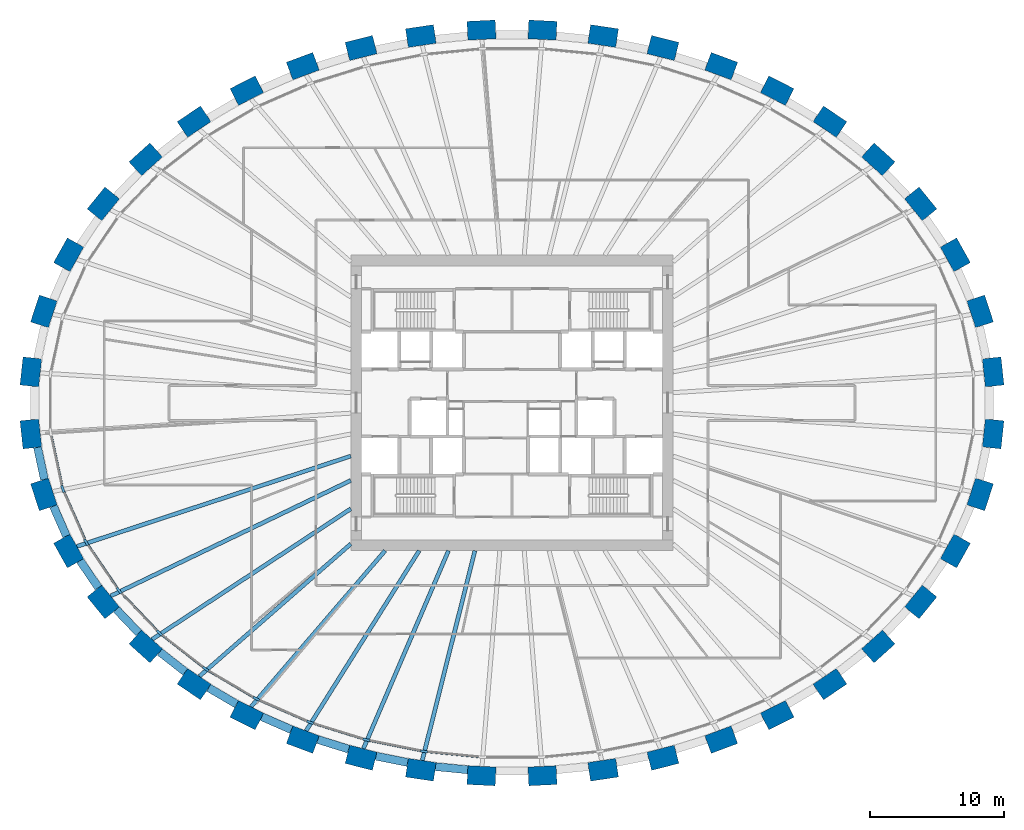
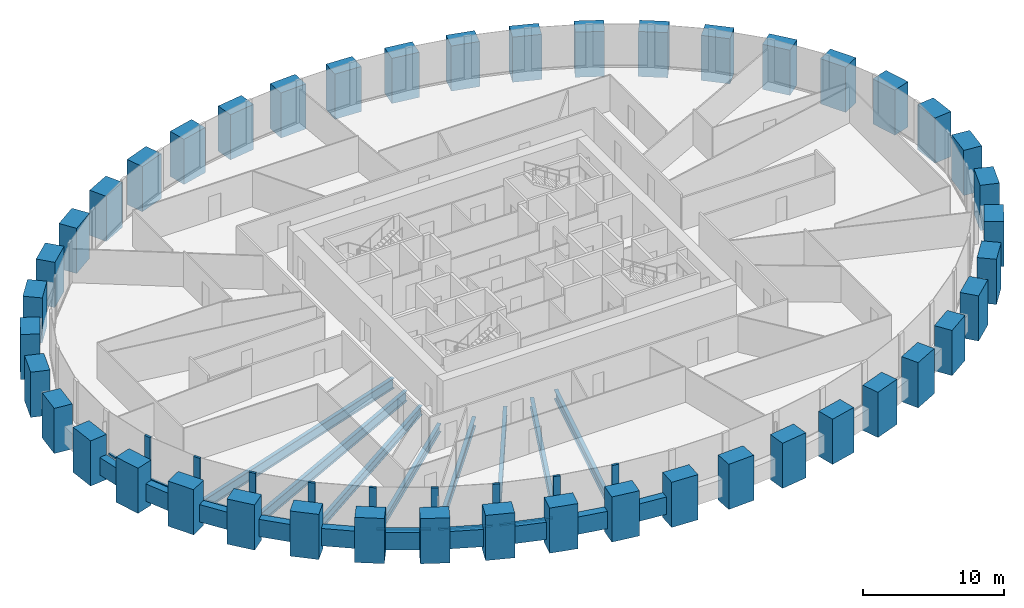
# One storey, part 1 of 11: 44 columns, 19 members, 18 beams, 1 element without a shape of its own.
"""IFC4 building model written with IfcOpenShell, lengths in metres."""

from ifc_helpers import new_model, si_unit, direction, frame, origin, origin_2d, place, context, subcontext, project, spatial, rectangle, i_section, extrude, source, transform, mapped, material, material_profile, profile_set, type_object, element, aggregate, save


model = new_model("IFC4")

# Units and contexts
model_context = context("Model", 3, precision=1e-05, world=origin(), true_north=direction((0.0, 1.0)))
body_context = subcontext(model_context, "Body", "Model", "MODEL_VIEW")
ifc_project = project(units=[si_unit("LENGTHUNIT", "METRE"), si_unit("AREAUNIT", "SQUARE_METRE"), si_unit("VOLUMEUNIT", "CUBIC_METRE"), si_unit("PLANEANGLEUNIT", "RADIAN"), si_unit("MASSUNIT", "GRAM", prefix="KILO")], contexts=[model_context])

# Site, building, storey
site_placement = place(None, origin())
site = spatial("IfcSite", under=ifc_project, at=site_placement, CompositionType="ELEMENT")
building_placement = place(site_placement, origin())
building = spatial("IfcBuilding", under=site, at=building_placement, Name="Embergate Tower", CompositionType="ELEMENT")
storey_placement = place(building_placement, frame((0.0, 0.0, 207.300048828125)))
storey = spatial("IfcBuildingStorey", under=building, at=storey_placement, Name="L47", CompositionType="ELEMENT", Elevation=207.300048828125)

# Columns
ifc_material_1 = material(Name="Concrete C60", Category="concrete")
ifc_material_profile_1 = material_profile(ifc_material_1, rectangle(XDim=1.39990234375, YDim=2.10009765625, at=origin_2d()), Name="RC 1400x2100")
ifc_profile_set_1 = profile_set([ifc_material_profile_1], Name="Concrete C60")
column_type = type_object("IfcColumnType", Name="Ring column RC 1400x2100 C60", PredefinedType="COLUMN", material=ifc_profile_set_1)
shared_shape_1 = source(origin(), body_context, "Body", "SweptSolid", [
    extrude(rectangle(XDim=1.39990234375, YDim=2.10009765625, at=origin_2d()), origin(), (0.0, 0.0, 1.0), 3.900146484375),
])
for number, where, z_axis, x_axis, name in (
    (1, (35.818115234375, 2.305908203125, -1.400146484375), (0.0, 0.0, 1.0), (0.994287757967, 0.106732630237, 0.0), "COL-L47-00"),
    (2, (34.84912109375, 6.81103515625, -1.400146484375), (0.0, 0.0, 1.0), (0.950754033697, 0.309946394413, 0.0), "COL-L47-01"),
    (3, (33.001953125, 11.02294921875, -1.400146484375), (0.0, 0.0, 1.0), (0.873500465855, 0.486823311018, 0.0), "COL-L47-02"),
    (4, (30.423095703125, 14.81591796875, -1.400146484375), (0.0, 0.0, 1.0), (0.775925311702, 0.630824786022, 0.0), "COL-L47-03"),
    (5, (27.26611328125, 18.126953125, -1.400146484375), (0.0, 0.0, 1.0), (0.669221393633, 0.743063070206, 0.0), "COL-L47-04"),
    (6, (23.66796875, 20.93603515625, -1.400146484375), (0.0, 0.0, 1.0), (0.560407734638, 0.828216862275, 0.0), "COL-L47-05"),
    (7, (19.741943359375, 23.243896484375, -1.400146484375), (0.0, 0.0, 1.0), (0.453010512651, 0.891505174089, 0.0), "COL-L47-06"),
    (8, (15.573974609375, 25.06689453125, -1.400146484375), (0.0, 0.0, 1.0), (0.348359375814, 0.937361053854, 0.0), "COL-L47-07"),
    (9, (11.236083984375, 26.41796875, -1.400146484375), (0.0, 0.0, 1.0), (0.24650851817, 0.969140624713, 0.0), "COL-L47-08"),
    (10, (6.784912109375, 27.31103515625, -1.400146484375), (0.0, 0.0, 1.0), (0.146929011949, 0.989147039346, 0.0), "COL-L47-09"),
    (11, (2.26904296875, 27.7548828125, -1.400146484375), (0.0, 0.0, 1.0), (0.048814904854, 0.998807841912, 0.0), "COL-L47-10"),
    (12, (-2.26904296875, 27.7548828125, -1.400146484375), (0.0, 0.0, 1.0), (-0.048814904854, 0.998807841912, 0.0), "COL-L47-11"),
    (13, (-6.784912109375, 27.31103515625, -1.400146484375), (0.0, 0.0, 1.0), (-0.146929011949, 0.989147039346, 0.0), "COL-L47-12"),
    (14, (-11.236083984375, 26.41796875, -1.400146484375), (0.0, 0.0, 1.0), (-0.24650851817, 0.969140624713, 0.0), "COL-L47-13"),
    (15, (-15.573974609375, 25.06689453125, -1.400146484375), (0.0, 0.0, 1.0), (-0.348359375814, 0.937361053854, 0.0), "COL-L47-14"),
    (16, (-19.741943359375, 23.243896484375, -1.400146484375), (0.0, 0.0, 1.0), (-0.453010512651, 0.891505174089, 0.0), "COL-L47-15"),
    (17, (-23.66796875, 20.93603515625, -1.400146484375), (0.0, 0.0, 1.0), (-0.560407734638, 0.828216862275, 0.0), "COL-L47-16"),
    (18, (-27.26611328125, 18.126953125, -1.400146484375), (0.0, 0.0, 1.0), (-0.669221393633, 0.743063070206, 0.0), "COL-L47-17"),
    (19, (-30.423095703125, 14.81591796875, -1.400146484375), (0.0, 0.0, 1.0), (-0.775925311702, 0.630824786022, 0.0), "COL-L47-18"),
    (20, (-33.001953125, 11.02294921875, -1.400146484375), (0.0, 0.0, 1.0), (-0.873500465855, 0.486823311018, 0.0), "COL-L47-19"),
    (21, (-34.84912109375, 6.81103515625, -1.400146484375), (0.0, 0.0, 1.0), (-0.950754033697, 0.309946394413, 0.0), "COL-L47-20"),
    (22, (-35.818115234375, 2.305908203125, -1.400146484375), (0.0, 0.0, 1.0), (-0.994287757967, 0.106732630237, 0.0), "COL-L47-21"),
    (23, (-35.818115234375, -2.305908203125, -1.400146484375), (0.0, 0.0, 1.0), (-0.994287757967, -0.106732630237, 0.0), "COL-L47-22"),
    (24, (-34.84912109375, -6.81103515625, -1.400146484375), (0.0, 0.0, 1.0), (-0.950754033697, -0.309946394413, 0.0), "COL-L47-23"),
    (25, (-33.001953125, -11.02294921875, -1.400146484375), (0.0, 0.0, 1.0), (-0.873500465855, -0.486823311018, 0.0), "COL-L47-24"),
    (26, (-30.423095703125, -14.81591796875, -1.400146484375), (0.0, 0.0, 1.0), (-0.775925311702, -0.630824786022, 0.0), "COL-L47-25"),
    (27, (-27.26611328125, -18.126953125, -1.400146484375), (0.0, 0.0, 1.0), (-0.669221393633, -0.743063070206, 0.0), "COL-L47-26"),
    (28, (-23.66796875, -20.93603515625, -1.400146484375), (0.0, 0.0, 1.0), (-0.560407734638, -0.828216862275, 0.0), "COL-L47-27"),
    (29, (-19.741943359375, -23.243896484375, -1.400146484375), (0.0, 0.0, 1.0), (-0.453010512651, -0.891505174089, 0.0), "COL-L47-28"),
    (30, (-15.573974609375, -25.06689453125, -1.400146484375), (0.0, 0.0, 1.0), (-0.348359375814, -0.937361053854, 0.0), "COL-L47-29"),
    (31, (-11.236083984375, -26.41796875, -1.400146484375), (0.0, 0.0, 1.0), (-0.24650851817, -0.969140624713, 0.0), "COL-L47-30"),
    (32, (-6.784912109375, -27.31103515625, -1.400146484375), (0.0, 0.0, 1.0), (-0.146929011949, -0.989147039346, 0.0), "COL-L47-31"),
    (33, (-2.26904296875, -27.7548828125, -1.400146484375), (0.0, 0.0, 1.0), (-0.048814904854, -0.998807841912, 0.0), "COL-L47-32"),
    (34, (2.26904296875, -27.7548828125, -1.400146484375), (0.0, 0.0, 1.0), (0.048814904854, -0.998807841912, 0.0), "COL-L47-33"),
    (35, (6.784912109375, -27.31103515625, -1.400146484375), (0.0, 0.0, 1.0), (0.146929011949, -0.989147039346, 0.0), "COL-L47-34"),
    (36, (11.236083984375, -26.41796875, -1.400146484375), (0.0, 0.0, 1.0), (0.24650851817, -0.969140624713, 0.0), "COL-L47-35"),
    (37, (15.573974609375, -25.06689453125, -1.400146484375), (0.0, 0.0, 1.0), (0.348359375814, -0.937361053854, 0.0), "COL-L47-36"),
    (38, (19.741943359375, -23.243896484375, -1.400146484375), (0.0, 0.0, 1.0), (0.453010512651, -0.891505174089, 0.0), "COL-L47-37"),
    (39, (23.66796875, -20.93603515625, -1.400146484375), (0.0, 0.0, 1.0), (0.560407734638, -0.828216862275, 0.0), "COL-L47-38"),
    (40, (27.26611328125, -18.126953125, -1.400146484375), (0.0, 0.0, 1.0), (0.669221393633, -0.743063070206, 0.0), "COL-L47-39"),
    (41, (30.423095703125, -14.81591796875, -1.400146484375), (0.0, 0.0, 1.0), (0.775925311702, -0.630824786022, 0.0), "COL-L47-40"),
    (42, (33.001953125, -11.02294921875, -1.400146484375), (0.0, 0.0, 1.0), (0.873500465855, -0.486823311018, 0.0), "COL-L47-41"),
    (43, (34.84912109375, -6.81103515625, -1.400146484375), (0.0, 0.0, 1.0), (0.950754033697, -0.309946394413, 0.0), "COL-L47-42"),
    (44, (35.818115234375, -2.305908203125, -1.400146484375), (0.0, 0.0, 1.0), (0.994287757967, -0.106732630237, 0.0), "COL-L47-43"),
):
    element("IfcColumn", number, at=place(storey_placement, frame(where, z_axis=z_axis, x_axis=x_axis)), inside=storey, type_object=column_type, Name=name, PredefinedType="COLUMN", context=body_context, shape_type="MappedRepresentation", body=[
        mapped(shared_shape_1, transform((0.0, 0.0, 0.0))),
    ])

# Beams
ifc_material_profile_2 = material_profile(ifc_material_1, rectangle(XDim=0.60009765625, YDim=1.5, at=origin_2d()), Name="RC 600x1500")
ifc_profile_set_2 = profile_set([ifc_material_profile_2], Name="Concrete C60")
beam_type_1 = type_object("IfcBeamType", Name="Spandrel beam RC 600x1500 C60", PredefinedType="BEAM", material=ifc_profile_set_2)
shared_shape_2 = source(origin(), body_context, "Body", "SweptSolid", [
    extrude(rectangle(XDim=0.60009765625, YDim=1.5, at=origin_2d()), origin(), (0.0, 0.0, 1.0), 2.438720703125),
])
beam_1_placement = place(storey_placement, frame((-35.320068359375, -3.30908203125, 0.0), z_axis=(0.210438320614, -0.977607136439, 0.0), x_axis=(0.977607136439, 0.210438320614, 0.0)))
element("IfcBeam", 45, at=beam_1_placement, inside=storey, type_object=beam_type_1, Name="SPN-L47-22", PredefinedType="BEAM", context=body_context, shape_type="MappedRepresentation", body=[
    mapped(shared_shape_2, transform((0.0, 0.0, 0.0))),
])
shared_shape_3 = source(origin(), body_context, "Body", "SweptSolid", [
    extrude(rectangle(XDim=0.60009765625, YDim=1.5, at=origin_2d()), origin(), (0.0, 0.0, 1.0), 2.431884765625),
])
beam_2_placement = place(storey_placement, frame((-34.14208984375, -7.68505859375, 0.0), z_axis=(0.401756025311, -0.915746742351, 0.0), x_axis=(0.915746742351, 0.401756025311, 0.0)))
element("IfcBeam", 46, at=beam_2_placement, inside=storey, type_object=beam_type_1, Name="SPN-L47-23", PredefinedType="BEAM", context=body_context, shape_type="MappedRepresentation", body=[
    mapped(shared_shape_3, transform((0.0, 0.0, 0.0))),
])
shared_shape_4 = source(origin(), body_context, "Body", "SweptSolid", [
    extrude(rectangle(XDim=0.60009765625, YDim=1.5, at=origin_2d()), origin(), (0.0, 0.0, 1.0), 2.42724609375),
])
beam_3_placement = place(storey_placement, frame((-32.14892578125, -11.7490234375, 0.0), z_axis=(0.562359541569, -0.826892826191, 0.0), x_axis=(0.826892826191, 0.562359541569, 0.0)))
element("IfcBeam", 47, at=beam_3_placement, inside=storey, type_object=beam_type_1, Name="SPN-L47-24", PredefinedType="BEAM", context=body_context, shape_type="MappedRepresentation", body=[
    mapped(shared_shape_4, transform((0.0, 0.0, 0.0))),
])
shared_shape_5 = source(origin(), body_context, "Body", "SweptSolid", [
    extrude(rectangle(XDim=0.60009765625, YDim=1.5, at=origin_2d()), origin(), (0.0, 0.0, 1.0), 2.419677734375),
])
beam_4_placement = place(storey_placement, frame((-29.448974609375, -15.376953125, 0.0), z_axis=(0.69015890768, -0.723657848813, 0.0), x_axis=(0.723657848813, 0.69015890768, 0.0)))
element("IfcBeam", 48, at=beam_4_placement, inside=storey, type_object=beam_type_1, Name="SPN-L47-25", PredefinedType="BEAM", context=body_context, shape_type="MappedRepresentation", body=[
    mapped(shared_shape_5, transform((0.0, 0.0, 0.0))),
])
shared_shape_6 = source(origin(), body_context, "Body", "SweptSolid", [
    extrude(rectangle(XDim=0.60009765625, YDim=1.5, at=origin_2d()), origin(), (0.0, 0.0, 1.0), 2.4150390625),
])
beam_5_placement = place(storey_placement, frame((-26.222900390625, -18.5380859375, 0.0), z_axis=(0.788327742651, -0.615255532415, 0.0), x_axis=(0.615255532415, 0.788327742651, 0.0)))
element("IfcBeam", 49, at=beam_5_placement, inside=storey, type_object=beam_type_1, Name="SPN-L47-26", PredefinedType="BEAM", context=body_context, shape_type="MappedRepresentation", body=[
    mapped(shared_shape_6, transform((0.0, 0.0, 0.0))),
])
shared_shape_7 = source(origin(), body_context, "Body", "SweptSolid", [
    extrude(rectangle(XDim=0.60009765625, YDim=1.5, at=origin_2d()), origin(), (0.0, 0.0, 1.0), 2.41015625),
])
beam_6_placement = place(storey_placement, frame((-22.58203125, -21.205078125, 0.0), z_axis=(0.862202298523, -0.506564108895, 0.0), x_axis=(0.506564108895, 0.862202298523, 0.0)))
element("IfcBeam", 50, at=beam_6_placement, inside=storey, type_object=beam_type_1, Name="SPN-L47-27", PredefinedType="BEAM", context=body_context, shape_type="MappedRepresentation", body=[
    mapped(shared_shape_7, transform((0.0, 0.0, 0.0))),
])
shared_shape_8 = source(origin(), body_context, "Body", "SweptSolid", [
    extrude(rectangle(XDim=0.60009765625, YDim=1.5, at=origin_2d()), origin(), (0.0, 0.0, 1.0), 2.407470703125),
])
beam_7_placement = place(storey_placement, frame((-18.625, -23.363037109375, 0.0), z_axis=(0.916352733651, -0.400371911515, 0.0), x_axis=(0.400371911515, 0.916352733651, 0.0)))
element("IfcBeam", 51, at=beam_7_placement, inside=storey, type_object=beam_type_1, Name="SPN-L47-28", PredefinedType="BEAM", context=body_context, shape_type="MappedRepresentation", body=[
    mapped(shared_shape_8, transform((0.0, 0.0, 0.0))),
])
shared_shape_9 = source(origin(), body_context, "Body", "SweptSolid", [
    extrude(rectangle(XDim=0.60009765625, YDim=1.5, at=origin_2d()), origin(), (0.0, 0.0, 1.0), 2.404541015625),
])
beam_8_placement = place(storey_placement, frame((-14.451904296875, -25.06103515625, 0.0), z_axis=(0.954790193156, -0.297280485491, 0.0), x_axis=(0.297280485491, 0.954790193156, 0.0)))
element("IfcBeam", 52, at=beam_8_placement, inside=storey, type_object=beam_type_1, Name="SPN-L47-29", PredefinedType="BEAM", context=body_context, shape_type="MappedRepresentation", body=[
    mapped(shared_shape_9, transform((0.0, 0.0, 0.0))),
])
shared_shape_10 = source(origin(), body_context, "Body", "SweptSolid", [
    extrude(rectangle(XDim=0.60009765625, YDim=1.5, at=origin_2d()), origin(), (0.0, 0.0, 1.0), 2.40185546875),
])
beam_9_placement = place(storey_placement, frame((-10.12109375, -26.2958984375, 0.0), z_axis=(0.980486735487, -0.196585252585, 0.0), x_axis=(0.196585252585, 0.980486735487, 0.0)))
element("IfcBeam", 53, at=beam_9_placement, inside=storey, type_object=beam_type_1, Name="SPN-L47-30", PredefinedType="BEAM", context=body_context, shape_type="MappedRepresentation", body=[
    mapped(shared_shape_10, transform((0.0, 0.0, 0.0))),
])
shared_shape_11 = source(origin(), body_context, "Body", "SweptSolid", [
    extrude(rectangle(XDim=0.60009765625, YDim=1.5, at=origin_2d()), origin(), (0.0, 0.0, 1.0), 2.4013671875),
])
beam_10_placement = place(storey_placement, frame((-5.68896484375, -27.077880859375, 0.0), z_axis=(0.995195949519, -0.097903125895, 0.0), x_axis=(0.097903125895, 0.995195949519, 0.0)))
element("IfcBeam", 54, at=beam_10_placement, inside=storey, type_object=beam_type_1, Name="SPN-L47-31", PredefinedType="BEAM", context=body_context, shape_type="MappedRepresentation", body=[
    mapped(shared_shape_11, transform((0.0, 0.0, 0.0))),
])
ifc_material_2 = material(Name="Steel Q355B", Category="steel")
ifc_material_profile_3 = material_profile(ifc_material_2, i_section(OverallWidth=0.300048828125, OverallDepth=0.89990234375, WebThickness=0.01611328125, FlangeThickness=0.028076171875, FilletRadius=0.028076171875, at=origin_2d()), Name="HN 900x300x16x28")
ifc_profile_set_3 = profile_set([ifc_material_profile_3], Name="Steel Q355 grade B")
beam_type_2 = type_object("IfcBeamType", Name="Radial girder HN 900x300x16x28", PredefinedType="BEAM", material=ifc_profile_set_3)
shared_shape_12 = source(origin(), body_context, "Body", "SweptSolid", [
    extrude(i_section(OverallWidth=0.300048828125, OverallDepth=0.89990234375, WebThickness=0.01611328125, FlangeThickness=0.028076171875, FilletRadius=0.028076171875, at=origin_2d()), origin(), (0.0, 0.0, 1.0), 21.47119140625),
])
beam_11_placement = place(storey_placement, frame((-32.39111328125, -10.681884765625, -0.650146484375), z_axis=(0.949700564112, 0.313159445849, 0.0), x_axis=(-0.313159445849, 0.949700564112, 0.0)))
element("IfcBeam", 55, at=beam_11_placement, inside=storey, type_object=beam_type_2, Name="GIR-L47-24", PredefinedType="BEAM", context=body_context, shape_type="MappedRepresentation", body=[
    mapped(shared_shape_12, transform((0.0, 0.0, 0.0))),
])
shared_shape_13 = source(origin(), body_context, "Body", "SweptSolid", [
    extrude(i_section(OverallWidth=0.300048828125, OverallDepth=0.89990234375, WebThickness=0.01611328125, FlangeThickness=0.028076171875, FilletRadius=0.028076171875, at=origin_2d()), origin(), (0.0, 0.0, 1.0), 19.841064453125),
])
beam_12_placement = place(storey_placement, frame((-29.8798828125, -14.3740234375, -0.650146484375), z_axis=(0.901154450988, 0.433498160854, 0.0), x_axis=(-0.433498160854, 0.901154450988, 0.0)))
element("IfcBeam", 56, at=beam_12_placement, inside=storey, type_object=beam_type_2, Name="GIR-L47-25", PredefinedType="BEAM", context=body_context, shape_type="MappedRepresentation", body=[
    mapped(shared_shape_13, transform((0.0, 0.0, 0.0))),
])
ifc_material_profile_4 = material_profile(ifc_material_2, i_section(OverallWidth=0.300048828125, OverallDepth=0.800048828125, WebThickness=0.013916015625, FlangeThickness=0.02587890625, FilletRadius=0.028076171875, at=origin_2d()), Name="HN 800x300x14x26")
ifc_profile_set_4 = profile_set([ifc_material_profile_4], Name="Steel Q355 grade B")
beam_type_3 = type_object("IfcBeamType", Name="Radial girder HN 800x300x14x26", PredefinedType="BEAM", material=ifc_profile_set_4)
shared_shape_14 = source(origin(), body_context, "Body", "SweptSolid", [
    extrude(i_section(OverallWidth=0.300048828125, OverallDepth=0.800048828125, WebThickness=0.013916015625, FlangeThickness=0.02587890625, FilletRadius=0.028076171875, at=origin_2d()), origin(), (0.0, 0.0, 1.0), 17.70654296875),
])
beam_13_placement = place(storey_placement, frame((-26.798095703125, -17.60693359375, -0.60009765625), z_axis=(0.835745977406, 0.549116254767, 0.0), x_axis=(-0.549116254767, 0.835745977406, 0.0)))
element("IfcBeam", 57, at=beam_13_placement, inside=storey, type_object=beam_type_3, Name="GIR-L47-26", PredefinedType="BEAM", context=body_context, shape_type="MappedRepresentation", body=[
    mapped(shared_shape_14, transform((0.0, 0.0, 0.0))),
])
ifc_material_profile_5 = material_profile(ifc_material_2, i_section(OverallWidth=0.300048828125, OverallDepth=0.699951171875, WebThickness=0.012939453125, FlangeThickness=0.02392578125, FilletRadius=0.01806640625, at=origin_2d()), Name="HN 700x300x13x24")
ifc_profile_set_5 = profile_set([ifc_material_profile_5], Name="Steel Q355 grade B")
beam_type_4 = type_object("IfcBeamType", Name="Radial girder HN 700x300x13x24", PredefinedType="BEAM", material=ifc_profile_set_5)
shared_shape_15 = source(origin(), body_context, "Body", "SweptSolid", [
    extrude(i_section(OverallWidth=0.300048828125, OverallDepth=0.699951171875, WebThickness=0.012939453125, FlangeThickness=0.02392578125, FilletRadius=0.01806640625, at=origin_2d()), origin(), (0.0, 0.0, 1.0), 14.9794921875),
])
beam_14_placement = place(storey_placement, frame((-23.27587890625, -20.35595703125, -0.550048828125), z_axis=(0.752760419663, 0.658294577365, 0.0), x_axis=(-0.658294577365, 0.752760419663, 0.0)))
element("IfcBeam", 58, at=beam_14_placement, inside=storey, type_object=beam_type_4, Name="GIR-L47-27", PredefinedType="BEAM", context=body_context, shape_type="MappedRepresentation", body=[
    mapped(shared_shape_15, transform((0.0, 0.0, 0.0))),
])
shared_shape_16 = source(origin(), body_context, "Body", "SweptSolid", [
    extrude(i_section(OverallWidth=0.300048828125, OverallDepth=0.800048828125, WebThickness=0.013916015625, FlangeThickness=0.02587890625, FilletRadius=0.028076171875, at=origin_2d()), origin(), (0.0, 0.0, 1.0), 15.31689453125),
])
beam_15_placement = place(storey_placement, frame((-19.425048828125, -22.6201171875, -0.60009765625), z_axis=(0.651502542644, 0.758646450548, 0.0), x_axis=(-0.758646450548, 0.651502542644, 0.0)))
element("IfcBeam", 59, at=beam_15_placement, inside=storey, type_object=beam_type_3, Name="GIR-L47-28", PredefinedType="BEAM", context=body_context, shape_type="MappedRepresentation", body=[
    mapped(shared_shape_16, transform((0.0, 0.0, 0.0))),
])
shared_shape_17 = source(origin(), body_context, "Body", "SweptSolid", [
    extrude(i_section(OverallWidth=0.300048828125, OverallDepth=0.800048828125, WebThickness=0.013916015625, FlangeThickness=0.02587890625, FilletRadius=0.028076171875, at=origin_2d()), origin(), (0.0, 0.0, 1.0), 15.836181640625),
])
beam_16_placement = place(storey_placement, frame((-15.330078125, -24.410888671875, -0.60009765625), z_axis=(0.531828302788, 0.846852204552, 0.0), x_axis=(-0.846852204552, 0.531828302788, 0.0)))
element("IfcBeam", 60, at=beam_16_placement, inside=storey, type_object=beam_type_3, Name="GIR-L47-29", PredefinedType="BEAM", context=body_context, shape_type="MappedRepresentation", body=[
    mapped(shared_shape_17, transform((0.0, 0.0, 0.0))),
])
shared_shape_18 = source(origin(), body_context, "Body", "SweptSolid", [
    extrude(i_section(OverallWidth=0.300048828125, OverallDepth=0.800048828125, WebThickness=0.013916015625, FlangeThickness=0.02587890625, FilletRadius=0.028076171875, at=origin_2d()), origin(), (0.0, 0.0, 1.0), 16.043701171875),
])
beam_17_placement = place(storey_placement, frame((-11.06298828125, -25.739990234375, -0.60009765625), z_axis=(0.394857578675, 0.918742342859, 0.0), x_axis=(-0.918742342859, 0.394857578675, 0.0)))
element("IfcBeam", 61, at=beam_17_placement, inside=storey, type_object=beam_type_3, Name="GIR-L47-30", PredefinedType="BEAM", context=body_context, shape_type="MappedRepresentation", body=[
    mapped(shared_shape_18, transform((0.0, 0.0, 0.0))),
])
shared_shape_19 = source(origin(), body_context, "Body", "SweptSolid", [
    extrude(i_section(OverallWidth=0.300048828125, OverallDepth=0.800048828125, WebThickness=0.013916015625, FlangeThickness=0.02587890625, FilletRadius=0.028076171875, at=origin_2d()), origin(), (0.0, 0.0, 1.0), 16.103515625),
])
beam_18_placement = place(storey_placement, frame((-6.681884765625, -26.618896484375, -0.60009765625), z_axis=(0.243480824062, 0.969905711043, 0.0), x_axis=(-0.969905711043, 0.243480824062, 0.0)))
element("IfcBeam", 62, at=beam_18_placement, inside=storey, type_object=beam_type_3, Name="GIR-L47-31", PredefinedType="BEAM", context=body_context, shape_type="MappedRepresentation", body=[
    mapped(shared_shape_19, transform((0.0, 0.0, 0.0))),
])

# Curtain wall, members
ifc_material_3 = material(Name="Aluminium and glass", Category="aluminium")
curtain_wall_type = type_object("IfcCurtainWallType", Name="Recessed office glazing", PredefinedType="NOTDEFINED", material=ifc_material_3)
curtain_wall_placement = place(storey_placement, origin())
curtain_wall = element("IfcCurtainWall", 63, at=curtain_wall_placement, inside=storey, type_object=curtain_wall_type, Name="Recessed office glazing ring", ObjectType="RECESSED OFFICE GLAZING", PredefinedType="USERDEFINED")
ifc_material_4 = material(Name="Aluminium, thermally broken", Category="aluminium")
ifc_material_profile_6 = material_profile(ifc_material_4, rectangle(XDim=0.179931640625, YDim=0.52001953125, at=origin_2d()), Name="AL 520x180")
ifc_profile_set_6 = profile_set([ifc_material_profile_6], Name="Aluminium, thermally broken")
member_type_1 = type_object("IfcMemberType", Name="Office mullion", PredefinedType="MULLION", material=ifc_profile_set_6)
shared_shape_20 = source(origin(), body_context, "Body", "SweptSolid", [
    extrude(rectangle(XDim=0.179931640625, YDim=0.52001953125, at=origin_2d()), origin(), (0.0, 0.0, 1.0), 3.699951171875),
])
member_1_placement = place(storey_placement, frame((-33.44140625, -6.401611328125, 0.0), z_axis=(0.0, 0.0, 1.0), x_axis=(0.951497797992, 0.307655554826, 0.0)))
member_1 = element("IfcMember", 64, at=member_1_placement, type_object=member_type_1, Name="CW mullion 24", PredefinedType="MULLION", context=body_context, shape_type="MappedRepresentation", body=[
    mapped(shared_shape_20, transform((0.0, 0.0, 0.0))),
])
member_2_placement = place(storey_placement, frame((-31.697998046875, -10.376220703125, 0.0), z_axis=(0.0, 0.0, 1.0), x_axis=(0.875002740779, 0.484117964581, 0.0)))
member_2 = element("IfcMember", 65, at=member_2_placement, type_object=member_type_1, Name="CW mullion 25", PredefinedType="MULLION", context=body_context, shape_type="MappedRepresentation", body=[
    mapped(shared_shape_20, transform((0.0, 0.0, 0.0))),
])
member_3_placement = place(storey_placement, frame((-29.25244140625, -13.972412109375, 0.0), z_axis=(0.0, 0.0, 1.0), x_axis=(0.777874757957, 0.628419335264, 0.0)))
member_3 = element("IfcMember", 66, at=member_3_placement, type_object=member_type_1, Name="CW mullion 26", PredefinedType="MULLION", context=body_context, shape_type="MappedRepresentation", body=[
    mapped(shared_shape_20, transform((0.0, 0.0, 0.0))),
])
member_4_placement = place(storey_placement, frame((-26.245361328125, -17.125732421875, 0.0), z_axis=(0.0, 0.0, 1.0), x_axis=(0.671230415135, 0.741248763775, 0.0)))
member_4 = element("IfcMember", 67, at=member_4_placement, type_object=member_type_1, Name="CW mullion 27", PredefinedType="MULLION", context=body_context, shape_type="MappedRepresentation", body=[
    mapped(shared_shape_20, transform((0.0, 0.0, 0.0))),
])
member_5_placement = place(storey_placement, frame((-22.804443359375, -19.811279296875, 0.0), z_axis=(0.0, 0.0, 1.0), x_axis=(0.562220505278, 0.826987365953, 0.0)))
member_5 = element("IfcMember", 68, at=member_5_placement, type_object=member_type_1, Name="CW mullion 28", PredefinedType="MULLION", context=body_context, shape_type="MappedRepresentation", body=[
    mapped(shared_shape_20, transform((0.0, 0.0, 0.0))),
])
member_6_placement = place(storey_placement, frame((-19.03662109375, -22.026611328125, 0.0), z_axis=(0.0, 0.0, 1.0), x_axis=(0.454514489796, 0.890739343784, 0.0)))
member_6 = element("IfcMember", 69, at=member_6_placement, type_object=member_type_1, Name="CW mullion 29", PredefinedType="MULLION", context=body_context, shape_type="MappedRepresentation", body=[
    mapped(shared_shape_20, transform((0.0, 0.0, 0.0))),
])
member_7_placement = place(storey_placement, frame((-15.02783203125, -23.779296875, 0.0), z_axis=(0.0, 0.0, 1.0), x_axis=(0.34950595337, 0.936934143128, 0.0)))
member_7 = element("IfcMember", 70, at=member_7_placement, type_object=member_type_1, Name="CW mullion 30", PredefinedType="MULLION", context=body_context, shape_type="MappedRepresentation", body=[
    mapped(shared_shape_20, transform((0.0, 0.0, 0.0))),
])
member_8_placement = place(storey_placement, frame((-10.847412109375, -25.081298828125, 0.0), z_axis=(0.0, 0.0, 1.0), x_axis=(0.247315263593, 0.968935065107, 0.0)))
member_8 = element("IfcMember", 71, at=member_8_placement, type_object=member_type_1, Name="CW mullion 31", PredefinedType="MULLION", context=body_context, shape_type="MappedRepresentation", body=[
    mapped(shared_shape_20, transform((0.0, 0.0, 0.0))),
])
member_9_placement = place(storey_placement, frame((-6.55224609375, -25.94287109375, 0.0), z_axis=(0.0, 0.0, 1.0), x_axis=(0.14741410908, 0.98907486089, 0.0)))
member_9 = element("IfcMember", 72, at=member_9_placement, type_object=member_type_1, Name="CW mullion 32", PredefinedType="MULLION", context=body_context, shape_type="MappedRepresentation", body=[
    mapped(shared_shape_20, transform((0.0, 0.0, 0.0))),
])
ifc_material_profile_7 = material_profile(ifc_material_4, rectangle(XDim=0.179931640625, YDim=0.14990234375, at=origin_2d()), Name="AL 150x180")
ifc_profile_set_7 = profile_set([ifc_material_profile_7], Name="Aluminium, thermally broken")
member_type_2 = type_object("IfcMemberType", Name="Office sill transom", PredefinedType="USERDEFINED", material=ifc_profile_set_7)
shared_shape_21 = source(origin(), body_context, "Body", "SweptSolid", [
    extrude(rectangle(XDim=0.179931640625, YDim=0.14990234375, at=origin_2d()), origin(), (0.0, 0.0, 1.0), 3.8134765625),
])
member_10_placement = place(storey_placement, frame((-34.29833984375, -2.41943359375, 0.074951171875), z_axis=(0.210377227089, -0.977620285347, 0.0), x_axis=(0.977620285347, 0.210377227089, 0.0)))
member_10 = element("IfcMember", 73, at=member_10_placement, type_object=member_type_2, Name="CW transom 23.1", ObjectType="TRANSOM", PredefinedType="USERDEFINED", context=body_context, shape_type="MappedRepresentation", body=[
    mapped(shared_shape_21, transform((0.0, 0.0, 0.0))),
])
shared_shape_22 = source(origin(), body_context, "Body", "SweptSolid", [
    extrude(rectangle(XDim=0.179931640625, YDim=0.14990234375, at=origin_2d()), origin(), (0.0, 0.0, 1.0), 3.8203125),
])
member_11_placement = place(storey_placement, frame((-33.3369140625, -6.6396484375, 0.074951171875), z_axis=(0.401656793595, -0.915790270837, 0.0), x_axis=(0.915790270837, 0.401656793595, 0.0)))
member_11 = element("IfcMember", 74, at=member_11_placement, type_object=member_type_2, Name="CW transom 24.1", ObjectType="TRANSOM", PredefinedType="USERDEFINED", context=body_context, shape_type="MappedRepresentation", body=[
    mapped(shared_shape_22, transform((0.0, 0.0, 0.0))),
])
shared_shape_23 = source(origin(), body_context, "Body", "SweptSolid", [
    extrude(rectangle(XDim=0.179931640625, YDim=0.14990234375, at=origin_2d()), origin(), (0.0, 0.0, 1.0), 3.828857421875),
])
member_12_placement = place(storey_placement, frame((-31.552001953125, -10.59130859375, 0.074951171875), z_axis=(0.56238675743, -0.826874316367, 0.0), x_axis=(0.826874316367, 0.56238675743, 0.0)))
member_12 = element("IfcMember", 75, at=member_12_placement, type_object=member_type_2, Name="CW transom 25.1", ObjectType="TRANSOM", PredefinedType="USERDEFINED", context=body_context, shape_type="MappedRepresentation", body=[
    mapped(shared_shape_23, transform((0.0, 0.0, 0.0))),
])
shared_shape_24 = source(origin(), body_context, "Body", "SweptSolid", [
    extrude(rectangle(XDim=0.179931640625, YDim=0.14990234375, at=origin_2d()), origin(), (0.0, 0.0, 1.0), 3.83740234375),
])
member_13_placement = place(storey_placement, frame((-29.072998046875, -14.160400390625, 0.074951171875), z_axis=(0.690110982846, -0.723703552123, 0.0), x_axis=(0.723703552123, 0.690110982846, 0.0)))
member_13 = element("IfcMember", 76, at=member_13_placement, type_object=member_type_2, Name="CW transom 26.1", ObjectType="TRANSOM", PredefinedType="USERDEFINED", context=body_context, shape_type="MappedRepresentation", body=[
    mapped(shared_shape_24, transform((0.0, 0.0, 0.0))),
])
shared_shape_25 = source(origin(), body_context, "Body", "SweptSolid", [
    extrude(rectangle(XDim=0.179931640625, YDim=0.14990234375, at=origin_2d()), origin(), (0.0, 0.0, 1.0), 3.8447265625),
])
member_14_placement = place(storey_placement, frame((-26.040283203125, -17.28564453125, 0.074951171875), z_axis=(0.788284232177, -0.615311278379, 0.0), x_axis=(0.615311278379, 0.788284232177, 0.0)))
member_14 = element("IfcMember", 77, at=member_14_placement, type_object=member_type_2, Name="CW transom 27.1", ObjectType="TRANSOM", PredefinedType="USERDEFINED", context=body_context, shape_type="MappedRepresentation", body=[
    mapped(shared_shape_25, transform((0.0, 0.0, 0.0))),
])
shared_shape_26 = source(origin(), body_context, "Body", "SweptSolid", [
    extrude(rectangle(XDim=0.179931640625, YDim=0.14990234375, at=origin_2d()), origin(), (0.0, 0.0, 1.0), 3.850830078125),
])
member_15_placement = place(storey_placement, frame((-22.580322265625, -19.943115234375, 0.074951171875), z_axis=(0.862051539353, -0.506820622607, 0.0), x_axis=(0.506820622607, 0.862051539353, 0.0)))
member_15 = element("IfcMember", 78, at=member_15_placement, type_object=member_type_2, Name="CW transom 28.1", ObjectType="TRANSOM", PredefinedType="USERDEFINED", context=body_context, shape_type="MappedRepresentation", body=[
    mapped(shared_shape_26, transform((0.0, 0.0, 0.0))),
])
shared_shape_27 = source(origin(), body_context, "Body", "SweptSolid", [
    extrude(rectangle(XDim=0.179931640625, YDim=0.14990234375, at=origin_2d()), origin(), (0.0, 0.0, 1.0), 3.855224609375),
])
member_16_placement = place(storey_placement, frame((-18.79833984375, -22.130615234375, 0.074951171875), z_axis=(0.916221273565, -0.400672656749, 0.0), x_axis=(0.400672656749, 0.916221273565, 0.0)))
member_16 = element("IfcMember", 79, at=member_16_placement, type_object=member_type_2, Name="CW transom 29.1", ObjectType="TRANSOM", PredefinedType="USERDEFINED", context=body_context, shape_type="MappedRepresentation", body=[
    mapped(shared_shape_27, transform((0.0, 0.0, 0.0))),
])
shared_shape_28 = source(origin(), body_context, "Body", "SweptSolid", [
    extrude(rectangle(XDim=0.179931640625, YDim=0.14990234375, at=origin_2d()), origin(), (0.0, 0.0, 1.0), 3.8583984375),
])
member_17_placement = place(storey_placement, frame((-14.779541015625, -23.856689453125, 0.074951171875), z_axis=(0.954755412544, -0.297392169061, 0.0), x_axis=(0.297392169061, 0.954755412544, 0.0)))
member_17 = element("IfcMember", 80, at=member_17_placement, type_object=member_type_2, Name="CW transom 30.1", ObjectType="TRANSOM", PredefinedType="USERDEFINED", context=body_context, shape_type="MappedRepresentation", body=[
    mapped(shared_shape_28, transform((0.0, 0.0, 0.0))),
])
shared_shape_29 = source(origin(), body_context, "Body", "SweptSolid", [
    extrude(rectangle(XDim=0.179931640625, YDim=0.14990234375, at=origin_2d()), origin(), (0.0, 0.0, 1.0), 3.860595703125),
])
member_18_placement = place(storey_placement, frame((-10.59228515625, -25.132568359375, 0.074951171875), z_axis=(0.980480823499, -0.196614736859, 0.0), x_axis=(0.196614736859, 0.980480823499, 0.0)))
member_18 = element("IfcMember", 81, at=member_18_placement, type_object=member_type_2, Name="CW transom 31.1", ObjectType="TRANSOM", PredefinedType="USERDEFINED", context=body_context, shape_type="MappedRepresentation", body=[
    mapped(shared_shape_29, transform((0.0, 0.0, 0.0))),
])
shared_shape_30 = source(origin(), body_context, "Body", "SweptSolid", [
    extrude(rectangle(XDim=0.179931640625, YDim=0.14990234375, at=origin_2d()), origin(), (0.0, 0.0, 1.0), 3.862060546875),
])
member_19_placement = place(storey_placement, frame((-6.29345703125, -25.96826171875, 0.074951171875), z_axis=(0.995200439085, -0.097857478225, 0.0), x_axis=(0.097857478225, 0.995200439085, 0.0)))
member_19 = element("IfcMember", 82, at=member_19_placement, type_object=member_type_2, Name="CW transom 32.1", ObjectType="TRANSOM", PredefinedType="USERDEFINED", context=body_context, shape_type="MappedRepresentation", body=[
    mapped(shared_shape_30, transform((0.0, 0.0, 0.0))),
])
aggregate(curtain_wall, [member_1, member_2, member_3, member_4, member_5, member_6, member_7, member_8, member_9, member_10, member_11, member_12, member_13, member_14, member_15, member_16, member_17, member_18, member_19])

save(model, "model.ifc")
